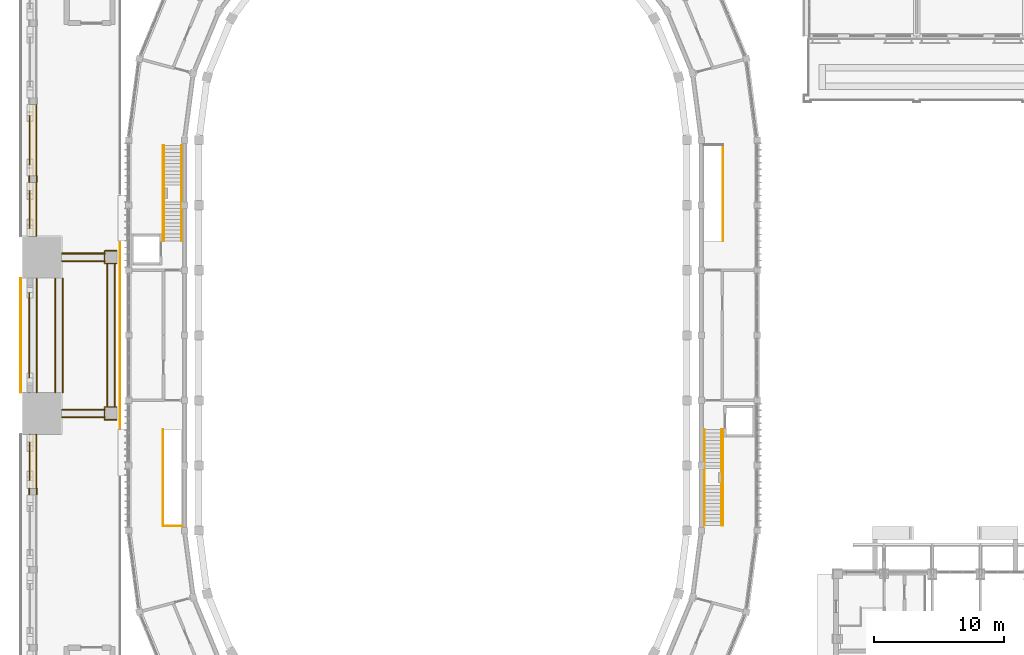
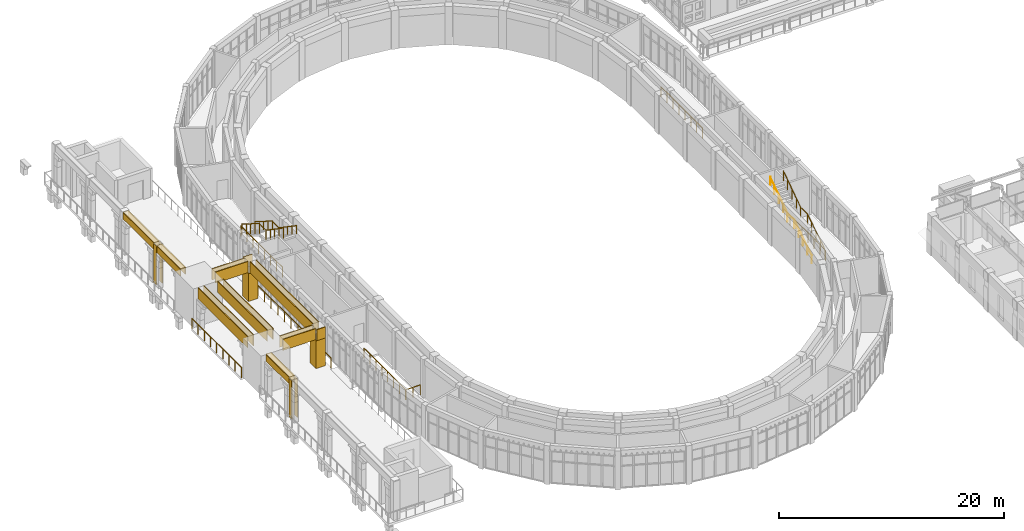
# One storey, part 85 of 99: 27 coverings, 11 railings.
"""IFC4 building model written with IfcOpenShell, lengths in metres."""

import ifcopenshell
import ifcopenshell.guid

model = None  # the IFC model being written
_history = None  # IfcOwnerHistory: only IFC2X3 demands one
_inside = {}  # id of a spatial element -> (the spatial element, [elements in it])
_under = {}  # id of a project, library or spatial element -> (it, [spatial elements below it])
_declared = {}  # id of a project -> (the project, [libraries it declares])
_typed = {}  # id of a type object -> (the type object, [elements of that type])
_made_of = {}  # id of a material, layer set ... -> (it, [elements and type objects made of it])


def new_model(schema):
    """Start an empty IFC model of exactly this schema.

    Asked for "IFC4X3", IfcOpenShell would pick the latest addendum, in which some entities
    have other attributes; the version numbers below select the first issue.
    IFC2X3 requires an IfcOwnerHistory on every rooted entity: one is made here for all.
    """
    global model, _history
    if schema == "IFC4X3":
        model = ifcopenshell.file(schema_version=(4, 3, 0, 0))
    else:
        model = ifcopenshell.file(schema=schema)
    _inside.clear()
    _under.clear()
    _declared.clear()
    _typed.clear()
    _made_of.clear()
    _history = None
    if model.schema == "IFC2X3":
        org = make("IfcOrganization", Name="unknown")
        user = make(
            "IfcPersonAndOrganization",
            ThePerson=make("IfcPerson", FamilyName="unknown"),
            TheOrganization=org,
        )
        app = make(
            "IfcApplication",
            ApplicationDeveloper=org,
            Version="unknown",
            ApplicationFullName="unknown",
            ApplicationIdentifier="unknown",
        )
        _history = make(
            "IfcOwnerHistory",
            OwningUser=user,
            OwningApplication=app,
            ChangeAction="ADDED",
            CreationDate=0,
        )
    return model


def make(cls, **values):
    """One entity of the class cls with the attributes given. An attribute that is None is left unset."""
    return model.create_entity(
        cls, **{name: value for name, value in values.items() if value is not None}
    )


def rooted(cls, **values):
    """An entity with a GlobalId (a new one), such as an element, a storey or a relation."""
    return make(cls, GlobalId=ifcopenshell.guid.new(), OwnerHistory=_history, **values)


def si_unit(unit_type, name, prefix=None):
    """IfcSIUnit, for example si_unit("LENGTHUNIT", "METRE", prefix="MILLI")."""
    return make("IfcSIUnit", UnitType=unit_type, Prefix=prefix, Name=name)


def assignment(units):
    """IfcUnitAssignment: the units of a project."""
    return None if units is None else make("IfcUnitAssignment", Units=units)


def point(xyz):
    """IfcCartesianPoint."""
    return None if xyz is None else make("IfcCartesianPoint", Coordinates=xyz)


def direction(xyz):
    """IfcDirection."""
    return None if xyz is None else make("IfcDirection", DirectionRatios=xyz)


def frame(location, z_axis=None, x_axis=None):
    """IfcAxis2Placement3D, a coordinate frame: its origin and axes. An axis left out is left unset."""
    return make(
        "IfcAxis2Placement3D",
        Location=point(location),
        Axis=direction(z_axis),
        RefDirection=direction(x_axis),
    )


def frame_2d(location, x_axis=None):
    """IfcAxis2Placement2D, a coordinate frame in the plane: its origin and x axis."""
    return make(
        "IfcAxis2Placement2D", Location=point(location), RefDirection=direction(x_axis)
    )


def origin():
    """The frame at (0, 0, 0) with its axes left unset."""
    return frame((0.0, 0.0, 0.0))


def origin_2d():
    """The frame at (0, 0) in the plane with its x axis left unset."""
    return frame_2d((0.0, 0.0))


def place(relative_to, where):
    """IfcLocalPlacement: puts the frame where relative to a parent placement (None: the world)."""
    return make(
        "IfcLocalPlacement", PlacementRelTo=relative_to, RelativePlacement=where
    )


def context(
    kind, dimensions, precision=None, world=None, true_north=None, identifier=None
):
    """IfcGeometricRepresentationContext, for example the 3D "Model" context."""
    return make(
        "IfcGeometricRepresentationContext",
        ContextIdentifier=identifier,
        ContextType=kind,
        CoordinateSpaceDimension=dimensions,
        Precision=precision,
        WorldCoordinateSystem=world,
        TrueNorth=true_north,
    )


def subcontext(parent, identifier, kind, view, scale=None):
    """IfcGeometricRepresentationSubContext, for example "Body" below "Model"."""
    return make(
        "IfcGeometricRepresentationSubContext",
        ContextIdentifier=identifier,
        ContextType=kind,
        ParentContext=parent,
        TargetScale=scale,
        TargetView=view,
    )


def project(units=None, contexts=None):
    """IfcProject with its units and contexts."""
    return rooted(
        "IfcProject",
        Name="project",
        RepresentationContexts=contexts,
        UnitsInContext=assignment(units),
    )


def spatial(cls, under=None, at=None, **own):
    """A site, building, storey or space (cls), placed at a placement, below another one or the project."""
    s = rooted(cls, ObjectPlacement=at, **own)
    if under is not None:
        _under.setdefault(under.id(), (under, []))[1].append(s)
    return s


def polyline(points):
    """IfcPolyline through the points."""
    return make("IfcPolyline", Points=[point(p) for p in points])


def profile(cls, at=None, kind="AREA", **sizes):
    """A parametric profile (cls). Its sizes go by their IFC names, for example OverallWidth=200.0."""
    return make(cls, ProfileType=kind, Position=at, **sizes)


def circle(**sizes):
    """IfcCircleProfileDef."""
    return profile("IfcCircleProfileDef", **sizes)


def outline(outer, holes=None, kind="AREA"):
    """IfcArbitraryClosedProfileDef: a profile drawn as a closed curve; with holes, ...WithVoids."""
    if holes is None:
        return make("IfcArbitraryClosedProfileDef", ProfileType=kind, OuterCurve=outer)
    return make(
        "IfcArbitraryProfileDefWithVoids",
        ProfileType=kind,
        OuterCurve=outer,
        InnerCurves=holes,
    )


def extrude(swept, where, along, depth):
    """IfcExtrudedAreaSolid: the profile swept, set in the frame where, extruded along a direction by depth."""
    return make(
        "IfcExtrudedAreaSolid",
        SweptArea=swept,
        Position=where,
        ExtrudedDirection=direction(along),
        Depth=depth,
    )


def shape(context_of_items, identifier, shape_type, items):
    """IfcShapeRepresentation: the items that make up one representation, for example the "Body"."""
    return make(
        "IfcShapeRepresentation",
        ContextOfItems=context_of_items,
        RepresentationIdentifier=identifier,
        RepresentationType=shape_type,
        Items=items,
    )


def material(Name=None, Category=None):
    """IfcMaterial."""
    return make("IfcMaterial", Name=Name, Category=Category)


def layer(
    of_material, thickness, ventilated=None, Name=None, Category=None, Priority=None
):
    """IfcMaterialLayer: one layer of a wall or slab, of a material (None: an air gap)."""
    return make(
        "IfcMaterialLayer",
        Material=of_material,
        LayerThickness=thickness,
        IsVentilated=ventilated,
        Name=Name,
        Category=Category,
        Priority=Priority,
    )


def layer_set(layers, Name=None):
    """IfcMaterialLayerSet."""
    return make("IfcMaterialLayerSet", MaterialLayers=layers, LayerSetName=Name)


def made_of(thing, what):
    """Note that an element or type object is made of a material, layer set ...; save() writes the relation."""
    if what is not None:
        _made_of.setdefault(what.id(), (what, []))[1].append(thing)
    return thing


def type_object(cls, material=None, **own):
    """A type object (cls), such as IfcWallType, which elements share."""
    return made_of(rooted(cls, **own), material)


def element(
    cls,
    number,
    at=None,
    inside=None,
    cuts=None,
    type_object=None,
    material=None,
    context=None,
    identifier="Body",
    shape_type=None,
    held_by="IfcProductDefinitionShape",
    body=None,
    shapes=None,
    **own,
):
    """One element of the class cls, such as IfcWall. Its Tag is "e" and its number.

    at: its placement. inside: the storey or other place that contains it. cuts: it is an
    opening in that element (IfcRelVoidsElement). A single representation is given by context,
    identifier, shape_type and body (its items); several are given by shapes. held_by: the class
    of the entity that holds the representations. save() writes the other relations.
    """
    e = rooted(cls, Tag="e%d" % number, ObjectPlacement=at, **own)
    if body is not None:
        shapes = [shape(context, identifier, shape_type, body)]
    if shapes is not None:
        e.Representation = make(held_by, Representations=shapes)
    if inside is not None:
        _inside.setdefault(inside.id(), (inside, []))[1].append(e)
    if cuts is not None:
        rooted(
            "IfcRelVoidsElement", RelatingBuildingElement=cuts, RelatedOpeningElement=e
        )
    if type_object is not None:
        _typed.setdefault(type_object.id(), (type_object, []))[1].append(e)
    return made_of(e, material)


def aggregate(whole, parts):
    """IfcRelAggregates: a whole, such as a stair, and the parts it consists of."""
    return rooted("IfcRelAggregates", RelatingObject=whole, RelatedObjects=parts)


def save(model, path):
    """Write the relations noted so far, then the file.

    IfcRelAggregates (storeys below a building ...), IfcRelContainedInSpatialStructure (elements
    in a storey), IfcRelDefinesByType, IfcRelAssociatesMaterial and IfcRelDeclares: one each for
    every whole, place, type object, material and project.
    """
    for whole, parts in _under.values():
        aggregate(whole, parts)
    for where, things in _inside.values():
        rooted(
            "IfcRelContainedInSpatialStructure",
            RelatedElements=things,
            RelatingStructure=where,
        )
    for kind, things in _typed.values():
        rooted("IfcRelDefinesByType", RelatedObjects=things, RelatingType=kind)
    for what, things in _made_of.values():
        rooted("IfcRelAssociatesMaterial", RelatedObjects=things, RelatingMaterial=what)
    for by, libraries in _declared.values():
        rooted("IfcRelDeclares", RelatingContext=by, RelatedDefinitions=libraries)
    model.write(path)


model = new_model("IFC4")

# Units and contexts
model_context = context("Model", 3, precision=1e-05, world=origin(), true_north=direction((0.0, 1.0)))
body_context = subcontext(model_context, "Body", "Model", "MODEL_VIEW")
ifc_project = project(units=[si_unit("LENGTHUNIT", "METRE"), si_unit("AREAUNIT", "SQUARE_METRE"), si_unit("VOLUMEUNIT", "CUBIC_METRE"), si_unit("PLANEANGLEUNIT", "RADIAN"), si_unit("MASSUNIT", "GRAM", prefix="KILO")], contexts=[model_context])

# Site, building, storey
site_placement = place(None, origin())
site = spatial("IfcSite", under=ifc_project, at=site_placement, CompositionType="ELEMENT")
building_placement = place(site_placement, origin())
building = spatial("IfcBuilding", under=site, at=building_placement, Name="Wasatch Bagh Community Centre", CompositionType="ELEMENT")
storey_placement = place(building_placement, frame((0.0, 0.0, 4.199951171875)))
storey = spatial("IfcBuildingStorey", under=building, at=storey_placement, Name="L01", CompositionType="ELEMENT", Elevation=4.199951171875)

# Coverings
ifc_material_1 = material(Name="Cast stone cladding", Category="masonry")
ifc_layer_1 = layer(ifc_material_1, 0.080078125)
ifc_layer_set_1 = layer_set([ifc_layer_1], Name="Cast stone cladding")
covering_type_1 = type_object("IfcCoveringType", Name="CL-B7 beam facing", PredefinedType="CLADDING", material=ifc_layer_set_1)
covering_1_placement = place(storey_placement, frame((0.0, 0.0, 3.0)))
element("IfcCovering", 1, at=covering_1_placement, inside=storey, type_object=covering_type_1, Name="Beam facing", PredefinedType="CLADDING", context=body_context, shape_type="SweptSolid", body=[
    extrude(outline(polyline([(10.25, 44.449951171875), (10.25, 55.550048828125), (10.169921875, 55.550048828125), (10.169921875, 44.449951171875), (10.25, 44.449951171875)])), origin(), (0.0, 0.0, 1.0), 1.199951171875),
])
covering_2_placement = place(storey_placement, frame((0.0, 0.0, 3.0)))
element("IfcCovering", 2, at=covering_2_placement, inside=storey, type_object=covering_type_1, Name="Beam facing", PredefinedType="CLADDING", context=body_context, shape_type="SweptSolid", body=[
    extrude(outline(polyline([(10.75, 44.449951171875), (10.75, 55.550048828125), (10.830078125, 55.550048828125), (10.830078125, 44.449951171875), (10.75, 44.449951171875)])), origin(), (0.0, 0.0, 1.0), 1.199951171875),
])
covering_3_placement = place(storey_placement, frame((0.0, 0.0, 3.0)))
element("IfcCovering", 3, at=covering_3_placement, inside=storey, type_object=covering_type_1, Name="Beam facing", PredefinedType="CLADDING", context=body_context, shape_type="SweptSolid", body=[
    extrude(outline(polyline([(4.25, 45.60009765625), (4.25, 54.39990234375), (4.169921875, 54.39990234375), (4.169921875, 45.60009765625), (4.25, 45.60009765625)])), origin(), (0.0, 0.0, 1.0), 1.199951171875),
])
covering_4_placement = place(storey_placement, frame((0.0, 0.0, 3.0)))
element("IfcCovering", 4, at=covering_4_placement, inside=storey, type_object=covering_type_1, Name="Beam facing", PredefinedType="CLADDING", context=body_context, shape_type="SweptSolid", body=[
    extrude(outline(polyline([(4.75, 45.60009765625), (4.75, 54.39990234375), (4.830078125, 54.39990234375), (4.830078125, 45.60009765625), (4.75, 45.60009765625)])), origin(), (0.0, 0.0, 1.0), 1.199951171875),
])
covering_5_placement = place(storey_placement, frame((0.0, 0.0, 3.0)))
element("IfcCovering", 5, at=covering_5_placement, inside=storey, type_object=covering_type_1, Name="Beam facing", PredefinedType="CLADDING", context=body_context, shape_type="SweptSolid", body=[
    extrude(outline(polyline([(6.25, 45.60009765625), (6.25, 54.39990234375), (6.169921875, 54.39990234375), (6.169921875, 45.60009765625), (6.25, 45.60009765625)])), origin(), (0.0, 0.0, 1.0), 1.199951171875),
])
covering_6_placement = place(storey_placement, frame((0.0, 0.0, 3.0)))
element("IfcCovering", 6, at=covering_6_placement, inside=storey, type_object=covering_type_1, Name="Beam facing", PredefinedType="CLADDING", context=body_context, shape_type="SweptSolid", body=[
    extrude(outline(polyline([(6.75, 45.60009765625), (6.75, 54.39990234375), (6.830078125, 54.39990234375), (6.830078125, 45.60009765625), (6.75, 45.60009765625)])), origin(), (0.0, 0.0, 1.0), 1.199951171875),
])
covering_7_placement = place(storey_placement, frame((0.0, 0.0, 3.0)))
element("IfcCovering", 7, at=covering_7_placement, inside=storey, type_object=covering_type_1, Name="Beam facing", PredefinedType="CLADDING", context=body_context, shape_type="SweptSolid", body=[
    extrude(outline(polyline([(6.699951171875, 44.25), (10.050048828125, 44.25), (10.050048828125, 44.330078125), (6.699951171875, 44.330078125), (6.699951171875, 44.25)])), origin(), (0.0, 0.0, 1.0), 1.199951171875),
])
covering_8_placement = place(storey_placement, frame((0.0, 0.0, 3.0)))
element("IfcCovering", 8, at=covering_8_placement, inside=storey, type_object=covering_type_1, Name="Beam facing", PredefinedType="CLADDING", context=body_context, shape_type="SweptSolid", body=[
    extrude(outline(polyline([(6.699951171875, 43.75), (10.050048828125, 43.75), (10.050048828125, 43.669921875), (6.699951171875, 43.669921875), (6.699951171875, 43.75)])), origin(), (0.0, 0.0, 1.0), 1.199951171875),
])
covering_9_placement = place(storey_placement, frame((0.0, 0.0, 3.0)))
element("IfcCovering", 9, at=covering_9_placement, inside=storey, type_object=covering_type_1, Name="Beam facing", PredefinedType="CLADDING", context=body_context, shape_type="SweptSolid", body=[
    extrude(outline(polyline([(6.699951171875, 56.25), (10.050048828125, 56.25), (10.050048828125, 56.330078125), (6.699951171875, 56.330078125), (6.699951171875, 56.25)])), origin(), (0.0, 0.0, 1.0), 1.199951171875),
])
covering_10_placement = place(storey_placement, frame((0.0, 0.0, 3.0)))
element("IfcCovering", 10, at=covering_10_placement, inside=storey, type_object=covering_type_1, Name="Beam facing", PredefinedType="CLADDING", context=body_context, shape_type="SweptSolid", body=[
    extrude(outline(polyline([(6.699951171875, 55.75), (10.050048828125, 55.75), (10.050048828125, 55.669921875), (6.699951171875, 55.669921875), (6.699951171875, 55.75)])), origin(), (0.0, 0.0, 1.0), 1.199951171875),
])
covering_11_placement = place(storey_placement, frame((0.0, 0.0, 3.5)))
element("IfcCovering", 11, at=covering_11_placement, inside=storey, type_object=covering_type_1, Name="Beam facing", PredefinedType="CLADDING", context=body_context, shape_type="SweptSolid", body=[
    extrude(outline(polyline([(4.300048828125, 62.25), (4.300048828125, 67.75), (4.219970703125, 67.75), (4.219970703125, 62.25), (4.300048828125, 62.25)])), origin(), (0.0, 0.0, 1.0), 0.699951171875),
])
covering_12_placement = place(storey_placement, frame((0.0, 0.0, 3.5)))
element("IfcCovering", 12, at=covering_12_placement, inside=storey, type_object=covering_type_1, Name="Beam facing", PredefinedType="CLADDING", context=body_context, shape_type="SweptSolid", body=[
    extrude(outline(polyline([(4.699951171875, 62.25), (4.699951171875, 67.75), (4.780029296875, 67.75), (4.780029296875, 62.25), (4.699951171875, 62.25)])), origin(), (0.0, 0.0, 1.0), 0.699951171875),
])
covering_13_placement = place(storey_placement, frame((0.0, 0.0, 4.199951171875)))
element("IfcCovering", 13, at=covering_13_placement, inside=storey, type_object=covering_type_1, Name="Beam facing", PredefinedType="CLADDING", context=body_context, shape_type="SweptSolid", body=[
    extrude(outline(polyline([(4.780029296875, 62.25), (4.780029296875, 67.75), (4.219970703125, 67.75), (4.219970703125, 62.25), (4.780029296875, 62.25)])), origin(), (0.0, 0.0, 1.0), 0.080078125),
])
covering_14_placement = place(storey_placement, frame((0.0, 0.0, 3.5)))
element("IfcCovering", 14, at=covering_14_placement, inside=storey, type_object=covering_type_1, Name="Beam facing", PredefinedType="CLADDING", context=body_context, shape_type="SweptSolid", body=[
    extrude(outline(polyline([(4.300048828125, 38.25), (4.300048828125, 42.39990234375), (4.219970703125, 42.39990234375), (4.219970703125, 38.25), (4.300048828125, 38.25)])), origin(), (0.0, 0.0, 1.0), 0.699951171875),
])
covering_15_placement = place(storey_placement, frame((0.0, 0.0, 3.5)))
element("IfcCovering", 15, at=covering_15_placement, inside=storey, type_object=covering_type_1, Name="Beam facing", PredefinedType="CLADDING", context=body_context, shape_type="SweptSolid", body=[
    extrude(outline(polyline([(4.699951171875, 38.25), (4.699951171875, 42.39990234375), (4.780029296875, 42.39990234375), (4.780029296875, 38.25), (4.699951171875, 38.25)])), origin(), (0.0, 0.0, 1.0), 0.699951171875),
])
covering_16_placement = place(storey_placement, frame((0.0, 0.0, 4.199951171875)))
element("IfcCovering", 16, at=covering_16_placement, inside=storey, type_object=covering_type_1, Name="Beam facing", PredefinedType="CLADDING", context=body_context, shape_type="SweptSolid", body=[
    extrude(outline(polyline([(4.780029296875, 38.25), (4.780029296875, 42.39990234375), (4.219970703125, 42.39990234375), (4.219970703125, 38.25), (4.780029296875, 38.25)])), origin(), (0.0, 0.0, 1.0), 0.080078125),
])
covering_17_placement = place(storey_placement, frame((0.0, 0.0, 3.5)))
element("IfcCovering", 17, at=covering_17_placement, inside=storey, type_object=covering_type_1, Name="Beam facing", PredefinedType="CLADDING", context=body_context, shape_type="SweptSolid", body=[
    extrude(outline(polyline([(4.300048828125, 57.60009765625), (4.300048828125, 61.75), (4.219970703125, 61.75), (4.219970703125, 57.60009765625), (4.300048828125, 57.60009765625)])), origin(), (0.0, 0.0, 1.0), 0.699951171875),
])
covering_18_placement = place(storey_placement, frame((0.0, 0.0, 3.5)))
element("IfcCovering", 18, at=covering_18_placement, inside=storey, type_object=covering_type_1, Name="Beam facing", PredefinedType="CLADDING", context=body_context, shape_type="SweptSolid", body=[
    extrude(outline(polyline([(4.699951171875, 57.60009765625), (4.699951171875, 61.75), (4.780029296875, 61.75), (4.780029296875, 57.60009765625), (4.699951171875, 57.60009765625)])), origin(), (0.0, 0.0, 1.0), 0.699951171875),
])
covering_19_placement = place(storey_placement, frame((0.0, 0.0, 4.199951171875)))
element("IfcCovering", 19, at=covering_19_placement, inside=storey, type_object=covering_type_1, Name="Beam facing", PredefinedType="CLADDING", context=body_context, shape_type="SweptSolid", body=[
    extrude(outline(polyline([(4.780029296875, 57.60009765625), (4.780029296875, 61.75), (4.219970703125, 61.75), (4.219970703125, 57.60009765625), (4.780029296875, 57.60009765625)])), origin(), (0.0, 0.0, 1.0), 0.080078125),
])
ifc_layer_2 = layer(ifc_material_1, 0.080078125)
ifc_layer_set_2 = layer_set([ifc_layer_2], Name="Cast stone cladding")
covering_type_2 = type_object("IfcCoveringType", Name="CL-C1 column facing", PredefinedType="CLADDING", material=ifc_layer_set_2)
covering_20_placement = place(storey_placement, origin())
element("IfcCovering", 20, at=covering_20_placement, inside=storey, type_object=covering_type_2, Name="Column facing", PredefinedType="CLADDING", context=body_context, shape_type="SweptSolid", body=[
    extrude(outline(polyline([(9.969970703125, 43.469970703125), (9.969970703125, 44.530029296875), (10.949951171875, 44.530029296875), (10.949951171875, 44.449951171875), (10.050048828125, 44.449951171875), (10.050048828125, 43.550048828125), (10.949951171875, 43.550048828125), (10.949951171875, 43.469970703125), (9.969970703125, 43.469970703125)])), origin(), (0.0, 0.0, 1.0), 3.0),
])
covering_21_placement = place(storey_placement, frame((0.0, 0.0, 3.0)))
element("IfcCovering", 21, at=covering_21_placement, inside=storey, type_object=covering_type_2, Name="Column facing", PredefinedType="CLADDING", context=body_context, shape_type="SweptSolid", body=[
    extrude(outline(polyline([(10.050048828125, 43.550048828125), (10.949951171875, 43.550048828125), (10.949951171875, 43.469970703125), (10.050048828125, 43.469970703125), (10.050048828125, 43.550048828125)])), origin(), (0.0, 0.0, 1.0), 1.199951171875),
])
covering_22_placement = place(storey_placement, origin())
element("IfcCovering", 22, at=covering_22_placement, inside=storey, type_object=covering_type_2, Name="Column facing", PredefinedType="CLADDING", context=body_context, shape_type="SweptSolid", body=[
    extrude(outline(polyline([(9.969970703125, 55.469970703125), (9.969970703125, 56.530029296875), (10.949951171875, 56.530029296875), (10.949951171875, 56.449951171875), (10.050048828125, 56.449951171875), (10.050048828125, 55.550048828125), (10.949951171875, 55.550048828125), (10.949951171875, 55.469970703125), (9.969970703125, 55.469970703125)])), origin(), (0.0, 0.0, 1.0), 3.0),
])
covering_23_placement = place(storey_placement, frame((0.0, 0.0, 3.0)))
element("IfcCovering", 23, at=covering_23_placement, inside=storey, type_object=covering_type_2, Name="Column facing", PredefinedType="CLADDING", context=body_context, shape_type="SweptSolid", body=[
    extrude(outline(polyline([(10.949951171875, 56.449951171875), (10.050048828125, 56.449951171875), (10.050048828125, 56.530029296875), (10.949951171875, 56.530029296875), (10.949951171875, 56.449951171875)])), origin(), (0.0, 0.0, 1.0), 1.199951171875),
])
covering_24_placement = place(storey_placement, origin())
element("IfcCovering", 24, at=covering_24_placement, inside=storey, type_object=covering_type_2, Name="Column facing", PredefinedType="CLADDING", context=body_context, shape_type="SweptSolid", body=[
    extrude(outline(polyline([(4.75, 38.25), (4.830078125, 38.25), (4.830078125, 37.75), (4.75, 37.75), (4.75, 38.25)])), origin(), (0.0, 0.0, 1.0), 4.199951171875),
])
covering_25_placement = place(storey_placement, origin())
element("IfcCovering", 25, at=covering_25_placement, inside=storey, type_object=covering_type_2, Name="Column facing", PredefinedType="CLADDING", context=body_context, shape_type="SweptSolid", body=[
    extrude(outline(polyline([(4.25, 37.75), (4.169921875, 37.75), (4.169921875, 38.25), (4.25, 38.25), (4.25, 37.75)])), origin(), (0.0, 0.0, 1.0), 4.199951171875),
])
covering_26_placement = place(storey_placement, origin())
element("IfcCovering", 26, at=covering_26_placement, inside=storey, type_object=covering_type_2, Name="Column facing", PredefinedType="CLADDING", context=body_context, shape_type="SweptSolid", body=[
    extrude(outline(polyline([(4.75, 62.25), (4.830078125, 62.25), (4.830078125, 61.75), (4.75, 61.75), (4.75, 62.25)])), origin(), (0.0, 0.0, 1.0), 4.199951171875),
])
covering_27_placement = place(storey_placement, origin())
element("IfcCovering", 27, at=covering_27_placement, inside=storey, type_object=covering_type_2, Name="Column facing", PredefinedType="CLADDING", context=body_context, shape_type="SweptSolid", body=[
    extrude(outline(polyline([(4.25, 61.75), (4.169921875, 61.75), (4.169921875, 62.25), (4.25, 62.25), (4.25, 61.75)])), origin(), (0.0, 0.0, 1.0), 4.199951171875),
])

# Railings
ifc_material_2 = material(Name="ASTM A36 steel plate", Category="steel")
railing_type_1 = type_object("IfcRailingType", Name="CT-G1", PredefinedType="GUARDRAIL", material=ifc_material_2)
railing_1_placement = place(storey_placement, frame((3.56005859375, 45.6201171875, 0.0)))
element("IfcRailing", 28, at=railing_1_placement, inside=storey, type_object=railing_type_1, Name="GUARD 2", PredefinedType="GUARDRAIL", context=body_context, shape_type="SweptSolid", body=[
    extrude(circle(Radius=0.02392578125, at=origin_2d()), frame((0.0, 0.0, 1.076171875), z_axis=(0.0, 1.0, 0.0), x_axis=(-1.0, 0.0, 0.0)), (0.0, 0.0, 1.0), 8.759765625),
    extrude(circle(Radius=0.02099609375, at=origin_2d()), origin(), (0.0, 0.0, 1.0), 1.052001953125),
    extrude(circle(Radius=0.02099609375, at=origin_2d()), frame((0.0, 1.094970703125, 0.0)), (0.0, 0.0, 1.0), 1.052001953125),
    extrude(circle(Radius=0.02099609375, at=origin_2d()), frame((0.0, 2.18994140625, 0.0)), (0.0, 0.0, 1.0), 1.052001953125),
    extrude(circle(Radius=0.02099609375, at=origin_2d()), frame((0.0, 3.284912109375, 0.0)), (0.0, 0.0, 1.0), 1.052001953125),
    extrude(circle(Radius=0.02099609375, at=origin_2d()), frame((0.0, 4.3798828125, 0.0)), (0.0, 0.0, 1.0), 1.052001953125),
    extrude(circle(Radius=0.02099609375, at=origin_2d()), frame((0.0, 5.474853515625, 0.0)), (0.0, 0.0, 1.0), 1.052001953125),
    extrude(circle(Radius=0.02099609375, at=origin_2d()), frame((0.0, 6.56982421875, 0.0)), (0.0, 0.0, 1.0), 1.052001953125),
    extrude(circle(Radius=0.02099609375, at=origin_2d()), frame((0.0, 7.664794921875, 0.0)), (0.0, 0.0, 1.0), 1.052001953125),
    extrude(circle(Radius=0.02099609375, at=origin_2d()), frame((0.0, 8.759765625, 0.0)), (0.0, 0.0, 1.0), 1.052001953125),
])
railing_2_placement = place(storey_placement, frame((11.18994140625, 42.89990234375, 0.0)))
element("IfcRailing", 29, at=railing_2_placement, inside=storey, type_object=railing_type_1, Name="GUARD 9", PredefinedType="GUARDRAIL", context=body_context, shape_type="SweptSolid", body=[
    extrude(circle(Radius=0.02392578125, at=origin_2d()), frame((0.0, 0.0, 1.076171875), z_axis=(0.0, 1.0, 0.0), x_axis=(-1.0, 0.0, 0.0)), (0.0, 0.0, 1.0), 14.2001953125),
    extrude(circle(Radius=0.02099609375, at=origin_2d()), origin(), (0.0, 0.0, 1.0), 1.052001953125),
    extrude(circle(Radius=0.02099609375, at=origin_2d()), frame((0.0, 1.183349609375, 0.0)), (0.0, 0.0, 1.0), 1.052001953125),
    extrude(circle(Radius=0.02099609375, at=origin_2d()), frame((0.0, 2.36669921875, 0.0)), (0.0, 0.0, 1.0), 1.052001953125),
    extrude(circle(Radius=0.02099609375, at=origin_2d()), frame((0.0, 3.550048828125, 0.0)), (0.0, 0.0, 1.0), 1.052001953125),
    extrude(circle(Radius=0.02099609375, at=origin_2d()), frame((0.0, 4.7333984375, 0.0)), (0.0, 0.0, 1.0), 1.052001953125),
    extrude(circle(Radius=0.02099609375, at=origin_2d()), frame((0.0, 5.916748046875, 0.0)), (0.0, 0.0, 1.0), 1.052001953125),
    extrude(circle(Radius=0.02099609375, at=origin_2d()), frame((0.0, 7.10009765625, 0.0)), (0.0, 0.0, 1.0), 1.052001953125),
    extrude(circle(Radius=0.02099609375, at=origin_2d()), frame((0.0, 8.283447265625, 0.0)), (0.0, 0.0, 1.0), 1.052001953125),
    extrude(circle(Radius=0.02099609375, at=origin_2d()), frame((0.0, 9.466796875, 0.0)), (0.0, 0.0, 1.0), 1.052001953125),
    extrude(circle(Radius=0.02099609375, at=origin_2d()), frame((0.0, 10.650146484375, 0.0)), (0.0, 0.0, 1.0), 1.052001953125),
    extrude(circle(Radius=0.02099609375, at=origin_2d()), frame((0.0, 11.83349609375, 0.0)), (0.0, 0.0, 1.0), 1.052001953125),
    extrude(circle(Radius=0.02099609375, at=origin_2d()), frame((0.0, 13.016845703125, 0.0)), (0.0, 0.0, 1.0), 1.052001953125),
    extrude(circle(Radius=0.02099609375, at=origin_2d()), frame((0.0, 14.2001953125, 0.0)), (0.0, 0.0, 1.0), 1.052001953125),
])
ifc_material_3 = material(Name="ASTM A500 Grade C steel", Category="steel")
railing_type_2 = type_object("IfcRailingType", Name="Drum guard 1100", PredefinedType="GUARDRAIL", material=ifc_material_3)
railing_3_placement = place(storey_placement, frame((14.47509765625, 35.39990234375, 0.0)))
element("IfcRailing", 30, at=railing_3_placement, inside=storey, type_object=railing_type_2, Name="Opening guard SW0", PredefinedType="GUARDRAIL", context=body_context, shape_type="SweptSolid", body=[
    extrude(circle(Radius=0.02392578125, at=origin_2d()), frame((0.0, 0.0, 1.076171875), z_axis=(0.0, 1.0, 0.0), x_axis=(-1.0, 0.0, 0.0)), (0.0, 0.0, 1.0), 7.360107421875),
    extrude(circle(Radius=0.02099609375, at=origin_2d()), origin(), (0.0, 0.0, 1.0), 1.052001953125),
    extrude(circle(Radius=0.02099609375, at=origin_2d()), frame((0.0, 1.051513671875, 0.0)), (0.0, 0.0, 1.0), 1.052001953125),
    extrude(circle(Radius=0.02099609375, at=origin_2d()), frame((0.0, 2.102783203125, 0.0)), (0.0, 0.0, 1.0), 1.052001953125),
    extrude(circle(Radius=0.02099609375, at=origin_2d()), frame((0.0, 3.154296875, 0.0)), (0.0, 0.0, 1.0), 1.052001953125),
    extrude(circle(Radius=0.02099609375, at=origin_2d()), frame((0.0, 4.205810546875, 0.0)), (0.0, 0.0, 1.0), 1.052001953125),
    extrude(circle(Radius=0.02099609375, at=origin_2d()), frame((0.0, 5.25732421875, 0.0)), (0.0, 0.0, 1.0), 1.052001953125),
    extrude(circle(Radius=0.02099609375, at=origin_2d()), frame((0.0, 6.30859375, 0.0)), (0.0, 0.0, 1.0), 1.052001953125),
    extrude(circle(Radius=0.02099609375, at=origin_2d()), frame((0.0, 7.360107421875, 0.0)), (0.0, 0.0, 1.0), 1.052001953125),
])
railing_4_placement = place(storey_placement, frame((15.97509765625, 35.35009765625, 0.0)))
element("IfcRailing", 31, at=railing_4_placement, inside=storey, type_object=railing_type_2, Name="Opening guard SW0 end", PredefinedType="GUARDRAIL", context=body_context, shape_type="SweptSolid", body=[
    extrude(circle(Radius=0.02392578125, at=origin_2d()), frame((0.0, 0.0, 1.076171875), z_axis=(-1.0, 0.0, 0.0), x_axis=(0.0, -1.0, 0.0)), (0.0, 0.0, 1.0), 1.5),
    extrude(circle(Radius=0.02099609375, at=origin_2d()), origin(), (0.0, 0.0, 1.0), 1.052001953125),
    extrude(circle(Radius=0.02099609375, at=origin_2d()), frame((-0.75, 0.0, 0.0)), (0.0, 0.0, 1.0), 1.052001953125),
    extrude(circle(Radius=0.02099609375, at=origin_2d()), frame((-1.5, 0.0, 0.0)), (0.0, 0.0, 1.0), 1.052001953125),
])
railing_5_placement = place(storey_placement, frame((57.425048828125, 35.39990234375, 0.175048828125)))
element("IfcRailing", 32, at=railing_5_placement, inside=storey, type_object=railing_type_2, Name="Stair guard SE0", PredefinedType="GUARDRAIL", context=body_context, shape_type="SweptSolid", body=[
    extrude(circle(Radius=0.02392578125, at=origin_2d()), frame((0.0, 0.0, 1.076171875), z_axis=(0.0, 0.847998304005, 0.529998940003), x_axis=(-1.0, 0.0, 0.0)), (0.0, 0.0, 1.0), 3.632080078125),
    extrude(circle(Radius=0.02392578125, at=origin_2d()), frame((0.0, 3.080078125, 3.0009765625), z_axis=(0.0, 1.0, 0.0), x_axis=(-1.0, 0.0, 0.0)), (0.0, 0.0, 1.0), 1.199951171875),
    extrude(circle(Radius=0.02392578125, at=origin_2d()), frame((0.0, 4.280029296875, 3.0009765625), z_axis=(0.0, 0.826252282691, 0.563300244406), x_axis=(-1.0, 0.0, 0.0)), (0.0, 0.0, 1.0), 3.727783203125),
    extrude(circle(Radius=0.02099609375, at=origin_2d()), origin(), (0.0, 0.0, 1.0), 1.052001953125),
    extrude(circle(Radius=0.02099609375, at=origin_2d()), frame((0.0, 0.77001953125, 0.481201171875)), (0.0, 0.0, 1.0), 1.052001953125),
    extrude(circle(Radius=0.02099609375, at=origin_2d()), frame((0.0, 1.5400390625, 0.96240234375)), (0.0, 0.0, 1.0), 1.052001953125),
    extrude(circle(Radius=0.02099609375, at=origin_2d()), frame((0.0, 2.31005859375, 1.44384765625)), (0.0, 0.0, 1.0), 1.052001953125),
    extrude(circle(Radius=0.02099609375, at=origin_2d()), frame((0.0, 3.080078125, 1.925048828125)), (0.0, 0.0, 1.0), 1.052001953125),
    extrude(circle(Radius=0.02099609375, at=origin_2d()), frame((0.0, 4.280029296875, 1.925048828125)), (0.0, 0.0, 1.0), 1.052001953125),
    extrude(circle(Radius=0.02099609375, at=origin_2d()), frame((0.0, 5.050048828125, 2.449951171875)), (0.0, 0.0, 1.0), 1.052001953125),
    extrude(circle(Radius=0.02099609375, at=origin_2d()), frame((0.0, 5.820068359375, 2.97509765625)), (0.0, 0.0, 1.0), 1.052001953125),
    extrude(circle(Radius=0.02099609375, at=origin_2d()), frame((0.0, 6.590087890625, 3.5)), (0.0, 0.0, 1.0), 1.052001953125),
    extrude(circle(Radius=0.02099609375, at=origin_2d()), frame((0.0, 7.360107421875, 4.02490234375)), (0.0, 0.0, 1.0), 1.052001953125),
])
railing_6_placement = place(storey_placement, frame((57.52490234375, 35.39990234375, 0.0)))
element("IfcRailing", 33, at=railing_6_placement, inside=storey, type_object=railing_type_2, Name="Opening guard SE0", PredefinedType="GUARDRAIL", context=body_context, shape_type="SweptSolid", body=[
    extrude(circle(Radius=0.02392578125, at=origin_2d()), frame((0.0, 0.0, 1.076171875), z_axis=(0.0, 1.0, 0.0), x_axis=(-1.0, 0.0, 0.0)), (0.0, 0.0, 1.0), 7.360107421875),
    extrude(circle(Radius=0.02099609375, at=origin_2d()), origin(), (0.0, 0.0, 1.0), 1.052001953125),
    extrude(circle(Radius=0.02099609375, at=origin_2d()), frame((0.0, 1.051513671875, 0.0)), (0.0, 0.0, 1.0), 1.052001953125),
    extrude(circle(Radius=0.02099609375, at=origin_2d()), frame((0.0, 2.102783203125, 0.0)), (0.0, 0.0, 1.0), 1.052001953125),
    extrude(circle(Radius=0.02099609375, at=origin_2d()), frame((0.0, 3.154296875, 0.0)), (0.0, 0.0, 1.0), 1.052001953125),
    extrude(circle(Radius=0.02099609375, at=origin_2d()), frame((0.0, 4.205810546875, 0.0)), (0.0, 0.0, 1.0), 1.052001953125),
    extrude(circle(Radius=0.02099609375, at=origin_2d()), frame((0.0, 5.25732421875, 0.0)), (0.0, 0.0, 1.0), 1.052001953125),
    extrude(circle(Radius=0.02099609375, at=origin_2d()), frame((0.0, 6.30859375, 0.0)), (0.0, 0.0, 1.0), 1.052001953125),
    extrude(circle(Radius=0.02099609375, at=origin_2d()), frame((0.0, 7.360107421875, 0.0)), (0.0, 0.0, 1.0), 1.052001953125),
])
railing_7_placement = place(storey_placement, frame((57.52490234375, 64.60009765625, 0.0)))
element("IfcRailing", 34, at=railing_7_placement, inside=storey, type_object=railing_type_2, Name="Opening guard NE0", PredefinedType="GUARDRAIL", context=body_context, shape_type="SweptSolid", body=[
    extrude(circle(Radius=0.02392578125, at=origin_2d()), frame((0.0, 0.0, 1.076171875), z_axis=(0.0, -1.0, 0.0), x_axis=(1.0, 0.0, 0.0)), (0.0, 0.0, 1.0), 7.360107421875),
    extrude(circle(Radius=0.02099609375, at=origin_2d()), origin(), (0.0, 0.0, 1.0), 1.052001953125),
    extrude(circle(Radius=0.02099609375, at=origin_2d()), frame((0.0, -1.051513671875, 0.0)), (0.0, 0.0, 1.0), 1.052001953125),
    extrude(circle(Radius=0.02099609375, at=origin_2d()), frame((0.0, -2.102783203125, 0.0)), (0.0, 0.0, 1.0), 1.052001953125),
    extrude(circle(Radius=0.02099609375, at=origin_2d()), frame((0.0, -3.154296875, 0.0)), (0.0, 0.0, 1.0), 1.052001953125),
    extrude(circle(Radius=0.02099609375, at=origin_2d()), frame((0.0, -4.205810546875, 0.0)), (0.0, 0.0, 1.0), 1.052001953125),
    extrude(circle(Radius=0.02099609375, at=origin_2d()), frame((0.0, -5.25732421875, 0.0)), (0.0, 0.0, 1.0), 1.052001953125),
    extrude(circle(Radius=0.02099609375, at=origin_2d()), frame((0.0, -6.30859375, 0.0)), (0.0, 0.0, 1.0), 1.052001953125),
    extrude(circle(Radius=0.02099609375, at=origin_2d()), frame((0.0, -7.360107421875, 0.0)), (0.0, 0.0, 1.0), 1.052001953125),
])
railing_8_placement = place(storey_placement, frame((14.574951171875, 64.60009765625, 0.175048828125)))
element("IfcRailing", 35, at=railing_8_placement, inside=storey, type_object=railing_type_2, Name="Stair guard NW0", PredefinedType="GUARDRAIL", context=body_context, shape_type="SweptSolid", body=[
    extrude(circle(Radius=0.02392578125, at=origin_2d()), frame((0.0, 0.0, 1.076171875), z_axis=(0.0, -0.847998304005, 0.529998940003), x_axis=(1.0, 0.0, 0.0)), (0.0, 0.0, 1.0), 3.632080078125),
    extrude(circle(Radius=0.02392578125, at=origin_2d()), frame((0.0, -3.080078125, 3.0009765625), z_axis=(0.0, -1.0, 0.0), x_axis=(1.0, 0.0, 0.0)), (0.0, 0.0, 1.0), 1.199951171875),
    extrude(circle(Radius=0.02392578125, at=origin_2d()), frame((0.0, -4.280029296875, 3.0009765625), z_axis=(0.0, -0.826252282691, 0.563300244406), x_axis=(1.0, 0.0, 0.0)), (0.0, 0.0, 1.0), 3.727783203125),
    extrude(circle(Radius=0.02099609375, at=origin_2d()), origin(), (0.0, 0.0, 1.0), 1.052001953125),
    extrude(circle(Radius=0.02099609375, at=origin_2d()), frame((0.0, -0.77001953125, 0.481201171875)), (0.0, 0.0, 1.0), 1.052001953125),
    extrude(circle(Radius=0.02099609375, at=origin_2d()), frame((0.0, -1.5400390625, 0.96240234375)), (0.0, 0.0, 1.0), 1.052001953125),
    extrude(circle(Radius=0.02099609375, at=origin_2d()), frame((0.0, -2.31005859375, 1.44384765625)), (0.0, 0.0, 1.0), 1.052001953125),
    extrude(circle(Radius=0.02099609375, at=origin_2d()), frame((0.0, -3.080078125, 1.925048828125)), (0.0, 0.0, 1.0), 1.052001953125),
    extrude(circle(Radius=0.02099609375, at=origin_2d()), frame((0.0, -4.280029296875, 1.925048828125)), (0.0, 0.0, 1.0), 1.052001953125),
    extrude(circle(Radius=0.02099609375, at=origin_2d()), frame((0.0, -5.050048828125, 2.449951171875)), (0.0, 0.0, 1.0), 1.052001953125),
    extrude(circle(Radius=0.02099609375, at=origin_2d()), frame((0.0, -5.820068359375, 2.97509765625)), (0.0, 0.0, 1.0), 1.052001953125),
    extrude(circle(Radius=0.02099609375, at=origin_2d()), frame((0.0, -6.590087890625, 3.5)), (0.0, 0.0, 1.0), 1.052001953125),
    extrude(circle(Radius=0.02099609375, at=origin_2d()), frame((0.0, -7.360107421875, 4.02490234375)), (0.0, 0.0, 1.0), 1.052001953125),
])
railing_9_placement = place(storey_placement, frame((14.47509765625, 64.60009765625, 0.0)))
element("IfcRailing", 36, at=railing_9_placement, inside=storey, type_object=railing_type_2, Name="Opening guard NW0", PredefinedType="GUARDRAIL", context=body_context, shape_type="SweptSolid", body=[
    extrude(circle(Radius=0.02392578125, at=origin_2d()), frame((0.0, 0.0, 1.076171875), z_axis=(0.0, -1.0, 0.0), x_axis=(1.0, 0.0, 0.0)), (0.0, 0.0, 1.0), 7.360107421875),
    extrude(circle(Radius=0.02099609375, at=origin_2d()), origin(), (0.0, 0.0, 1.0), 1.052001953125),
    extrude(circle(Radius=0.02099609375, at=origin_2d()), frame((0.0, -1.051513671875, 0.0)), (0.0, 0.0, 1.0), 1.052001953125),
    extrude(circle(Radius=0.02099609375, at=origin_2d()), frame((0.0, -2.102783203125, 0.0)), (0.0, 0.0, 1.0), 1.052001953125),
    extrude(circle(Radius=0.02099609375, at=origin_2d()), frame((0.0, -3.154296875, 0.0)), (0.0, 0.0, 1.0), 1.052001953125),
    extrude(circle(Radius=0.02099609375, at=origin_2d()), frame((0.0, -4.205810546875, 0.0)), (0.0, 0.0, 1.0), 1.052001953125),
    extrude(circle(Radius=0.02099609375, at=origin_2d()), frame((0.0, -5.25732421875, 0.0)), (0.0, 0.0, 1.0), 1.052001953125),
    extrude(circle(Radius=0.02099609375, at=origin_2d()), frame((0.0, -6.30859375, 0.0)), (0.0, 0.0, 1.0), 1.052001953125),
    extrude(circle(Radius=0.02099609375, at=origin_2d()), frame((0.0, -7.360107421875, 0.0)), (0.0, 0.0, 1.0), 1.052001953125),
])
railing_type_3 = type_object("IfcRailingType", Name="Drum handrail 900", PredefinedType="HANDRAIL", material=ifc_material_3)
railing_10_placement = place(storey_placement, frame((56.094970703125, 35.39990234375, 0.175048828125)))
element("IfcRailing", 37, at=railing_10_placement, inside=storey, type_object=railing_type_3, Name="Stair handrail SE0", PredefinedType="HANDRAIL", context=body_context, shape_type="SweptSolid", body=[
    extrude(circle(Radius=0.02392578125, at=origin_2d()), frame((0.0, 0.0, 0.8759765625), z_axis=(0.0, 0.847998304005, 0.529998940003), x_axis=(-1.0, 0.0, 0.0)), (0.0, 0.0, 1.0), 3.632080078125),
    extrude(circle(Radius=0.02392578125, at=origin_2d()), frame((0.0, 3.080078125, 2.80078125), z_axis=(0.0, 1.0, 0.0), x_axis=(-1.0, 0.0, 0.0)), (0.0, 0.0, 1.0), 1.199951171875),
    extrude(circle(Radius=0.02392578125, at=origin_2d()), frame((0.0, 4.280029296875, 2.80078125), z_axis=(0.0, 0.826252282691, 0.563300244406), x_axis=(-1.0, 0.0, 0.0)), (0.0, 0.0, 1.0), 3.727783203125),
    extrude(circle(Radius=0.02099609375, at=origin_2d()), origin(), (0.0, 0.0, 1.0), 0.851806640625),
    extrude(circle(Radius=0.02099609375, at=origin_2d()), frame((0.0, 0.77001953125, 0.481201171875)), (0.0, 0.0, 1.0), 0.851806640625),
    extrude(circle(Radius=0.02099609375, at=origin_2d()), frame((0.0, 1.5400390625, 0.96240234375)), (0.0, 0.0, 1.0), 0.851806640625),
    extrude(circle(Radius=0.02099609375, at=origin_2d()), frame((0.0, 2.31005859375, 1.44384765625)), (0.0, 0.0, 1.0), 0.851806640625),
    extrude(circle(Radius=0.02099609375, at=origin_2d()), frame((0.0, 3.080078125, 1.925048828125)), (0.0, 0.0, 1.0), 0.851806640625),
    extrude(circle(Radius=0.02099609375, at=origin_2d()), frame((0.0, 4.280029296875, 1.925048828125)), (0.0, 0.0, 1.0), 0.851806640625),
    extrude(circle(Radius=0.02099609375, at=origin_2d()), frame((0.0, 5.050048828125, 2.449951171875)), (0.0, 0.0, 1.0), 0.851806640625),
    extrude(circle(Radius=0.02099609375, at=origin_2d()), frame((0.0, 5.820068359375, 2.97509765625)), (0.0, 0.0, 1.0), 0.851806640625),
    extrude(circle(Radius=0.02099609375, at=origin_2d()), frame((0.0, 6.590087890625, 3.5)), (0.0, 0.0, 1.0), 0.851806640625),
    extrude(circle(Radius=0.02099609375, at=origin_2d()), frame((0.0, 7.360107421875, 4.02490234375)), (0.0, 0.0, 1.0), 0.851806640625),
])
railing_11_placement = place(storey_placement, frame((15.905029296875, 64.60009765625, 0.175048828125)))
element("IfcRailing", 38, at=railing_11_placement, inside=storey, type_object=railing_type_3, Name="Stair handrail NW0", PredefinedType="HANDRAIL", context=body_context, shape_type="SweptSolid", body=[
    extrude(circle(Radius=0.02392578125, at=origin_2d()), frame((0.0, 0.0, 0.8759765625), z_axis=(0.0, -0.847998304005, 0.529998940003), x_axis=(1.0, 0.0, 0.0)), (0.0, 0.0, 1.0), 3.632080078125),
    extrude(circle(Radius=0.02392578125, at=origin_2d()), frame((0.0, -3.080078125, 2.80078125), z_axis=(0.0, -1.0, 0.0), x_axis=(1.0, 0.0, 0.0)), (0.0, 0.0, 1.0), 1.199951171875),
    extrude(circle(Radius=0.02392578125, at=origin_2d()), frame((0.0, -4.280029296875, 2.80078125), z_axis=(0.0, -0.826252282691, 0.563300244406), x_axis=(1.0, 0.0, 0.0)), (0.0, 0.0, 1.0), 3.727783203125),
    extrude(circle(Radius=0.02099609375, at=origin_2d()), origin(), (0.0, 0.0, 1.0), 0.851806640625),
    extrude(circle(Radius=0.02099609375, at=origin_2d()), frame((0.0, -0.77001953125, 0.481201171875)), (0.0, 0.0, 1.0), 0.851806640625),
    extrude(circle(Radius=0.02099609375, at=origin_2d()), frame((0.0, -1.5400390625, 0.96240234375)), (0.0, 0.0, 1.0), 0.851806640625),
    extrude(circle(Radius=0.02099609375, at=origin_2d()), frame((0.0, -2.31005859375, 1.44384765625)), (0.0, 0.0, 1.0), 0.851806640625),
    extrude(circle(Radius=0.02099609375, at=origin_2d()), frame((0.0, -3.080078125, 1.925048828125)), (0.0, 0.0, 1.0), 0.851806640625),
    extrude(circle(Radius=0.02099609375, at=origin_2d()), frame((0.0, -4.280029296875, 1.925048828125)), (0.0, 0.0, 1.0), 0.851806640625),
    extrude(circle(Radius=0.02099609375, at=origin_2d()), frame((0.0, -5.050048828125, 2.449951171875)), (0.0, 0.0, 1.0), 0.851806640625),
    extrude(circle(Radius=0.02099609375, at=origin_2d()), frame((0.0, -5.820068359375, 2.97509765625)), (0.0, 0.0, 1.0), 0.851806640625),
    extrude(circle(Radius=0.02099609375, at=origin_2d()), frame((0.0, -6.590087890625, 3.5)), (0.0, 0.0, 1.0), 0.851806640625),
    extrude(circle(Radius=0.02099609375, at=origin_2d()), frame((0.0, -7.360107421875, 4.02490234375)), (0.0, 0.0, 1.0), 0.851806640625),
])

save(model, "model.ifc")
